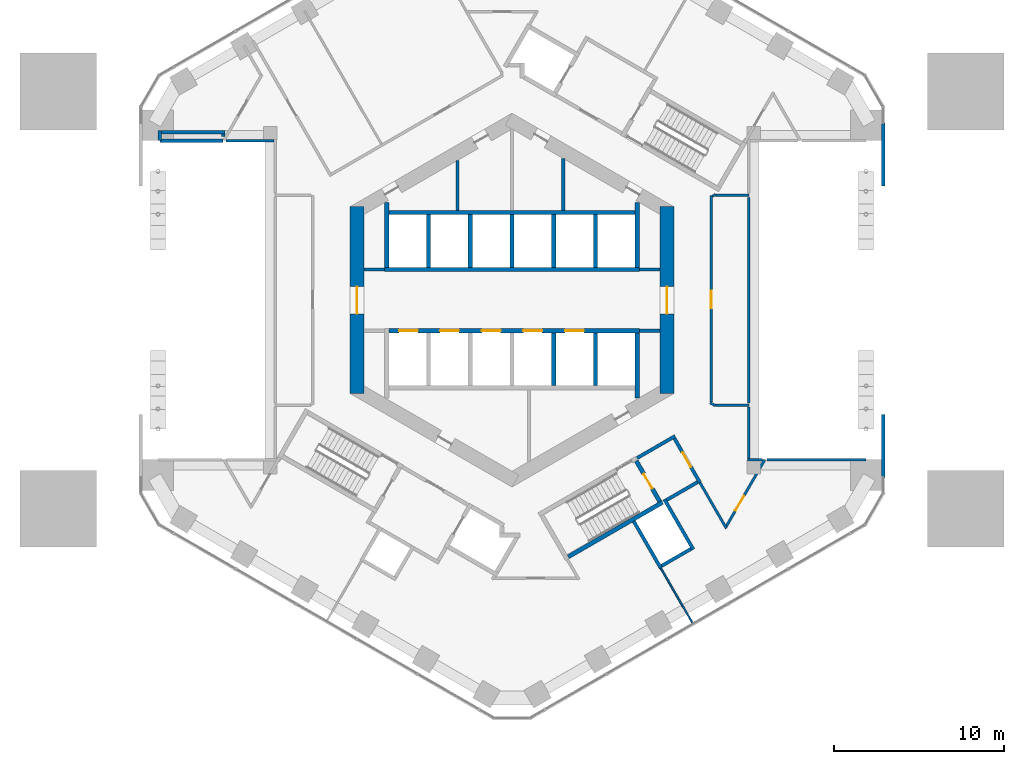
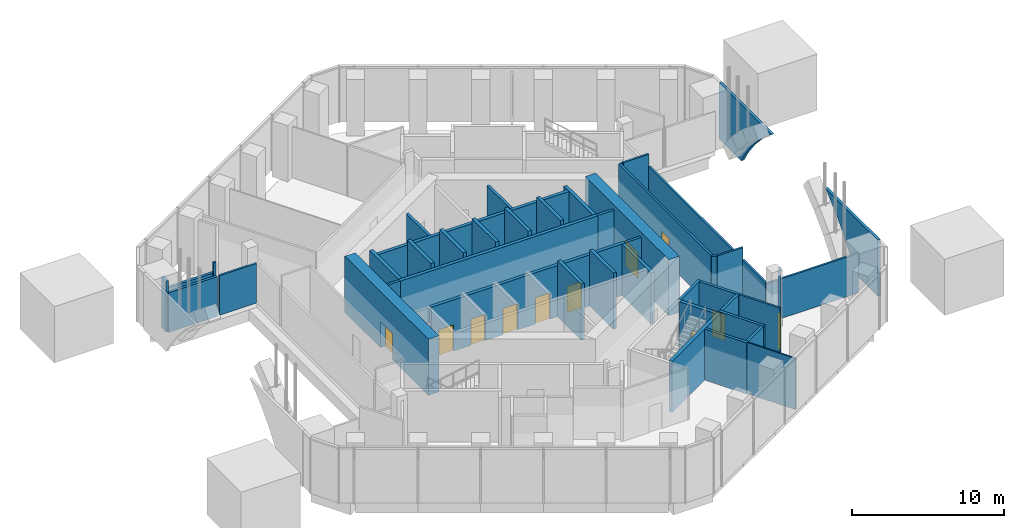
# One storey, part 10 of 14: 47 walls, 11 doors, 11 openings.
"""IFC4 building model written with IfcOpenShell, lengths in metres."""

import ifcopenshell
import ifcopenshell.guid

model = None  # the IFC model being written
_history = None  # IfcOwnerHistory: only IFC2X3 demands one
_inside = {}  # id of a spatial element -> (the spatial element, [elements in it])
_under = {}  # id of a project, library or spatial element -> (it, [spatial elements below it])
_declared = {}  # id of a project -> (the project, [libraries it declares])
_typed = {}  # id of a type object -> (the type object, [elements of that type])
_made_of = {}  # id of a material, layer set ... -> (it, [elements and type objects made of it])


def new_model(schema):
    """Start an empty IFC model of exactly this schema.

    Asked for "IFC4X3", IfcOpenShell would pick the latest addendum, in which some entities
    have other attributes; the version numbers below select the first issue.
    IFC2X3 requires an IfcOwnerHistory on every rooted entity: one is made here for all.
    """
    global model, _history
    if schema == "IFC4X3":
        model = ifcopenshell.file(schema_version=(4, 3, 0, 0))
    else:
        model = ifcopenshell.file(schema=schema)
    _inside.clear()
    _under.clear()
    _declared.clear()
    _typed.clear()
    _made_of.clear()
    _history = None
    if model.schema == "IFC2X3":
        org = make("IfcOrganization", Name="unknown")
        user = make(
            "IfcPersonAndOrganization",
            ThePerson=make("IfcPerson", FamilyName="unknown"),
            TheOrganization=org,
        )
        app = make(
            "IfcApplication",
            ApplicationDeveloper=org,
            Version="unknown",
            ApplicationFullName="unknown",
            ApplicationIdentifier="unknown",
        )
        _history = make(
            "IfcOwnerHistory",
            OwningUser=user,
            OwningApplication=app,
            ChangeAction="ADDED",
            CreationDate=0,
        )
    return model


def make(cls, **values):
    """One entity of the class cls with the attributes given. An attribute that is None is left unset."""
    return model.create_entity(
        cls, **{name: value for name, value in values.items() if value is not None}
    )


def rooted(cls, **values):
    """An entity with a GlobalId (a new one), such as an element, a storey or a relation."""
    return make(cls, GlobalId=ifcopenshell.guid.new(), OwnerHistory=_history, **values)


def si_unit(unit_type, name, prefix=None):
    """IfcSIUnit, for example si_unit("LENGTHUNIT", "METRE", prefix="MILLI")."""
    return make("IfcSIUnit", UnitType=unit_type, Prefix=prefix, Name=name)


def assignment(units):
    """IfcUnitAssignment: the units of a project."""
    return None if units is None else make("IfcUnitAssignment", Units=units)


def point(xyz):
    """IfcCartesianPoint."""
    return None if xyz is None else make("IfcCartesianPoint", Coordinates=xyz)


def direction(xyz):
    """IfcDirection."""
    return None if xyz is None else make("IfcDirection", DirectionRatios=xyz)


def frame(location, z_axis=None, x_axis=None):
    """IfcAxis2Placement3D, a coordinate frame: its origin and axes. An axis left out is left unset."""
    return make(
        "IfcAxis2Placement3D",
        Location=point(location),
        Axis=direction(z_axis),
        RefDirection=direction(x_axis),
    )


def frame_2d(location, x_axis=None):
    """IfcAxis2Placement2D, a coordinate frame in the plane: its origin and x axis."""
    return make(
        "IfcAxis2Placement2D", Location=point(location), RefDirection=direction(x_axis)
    )


def origin():
    """The frame at (0, 0, 0) with its axes left unset."""
    return frame((0.0, 0.0, 0.0))


def place(relative_to, where):
    """IfcLocalPlacement: puts the frame where relative to a parent placement (None: the world)."""
    return make(
        "IfcLocalPlacement", PlacementRelTo=relative_to, RelativePlacement=where
    )


def context(
    kind, dimensions, precision=None, world=None, true_north=None, identifier=None
):
    """IfcGeometricRepresentationContext, for example the 3D "Model" context."""
    return make(
        "IfcGeometricRepresentationContext",
        ContextIdentifier=identifier,
        ContextType=kind,
        CoordinateSpaceDimension=dimensions,
        Precision=precision,
        WorldCoordinateSystem=world,
        TrueNorth=true_north,
    )


def subcontext(parent, identifier, kind, view, scale=None):
    """IfcGeometricRepresentationSubContext, for example "Body" below "Model"."""
    return make(
        "IfcGeometricRepresentationSubContext",
        ContextIdentifier=identifier,
        ContextType=kind,
        ParentContext=parent,
        TargetScale=scale,
        TargetView=view,
    )


def project(units=None, contexts=None):
    """IfcProject with its units and contexts."""
    return rooted(
        "IfcProject",
        Name="project",
        RepresentationContexts=contexts,
        UnitsInContext=assignment(units),
    )


def spatial(cls, under=None, at=None, **own):
    """A site, building, storey or space (cls), placed at a placement, below another one or the project."""
    s = rooted(cls, ObjectPlacement=at, **own)
    if under is not None:
        _under.setdefault(under.id(), (under, []))[1].append(s)
    return s


def polyline(points):
    """IfcPolyline through the points."""
    return make("IfcPolyline", Points=[point(p) for p in points])


def profile(cls, at=None, kind="AREA", **sizes):
    """A parametric profile (cls). Its sizes go by their IFC names, for example OverallWidth=200.0."""
    return make(cls, ProfileType=kind, Position=at, **sizes)


def rectangle(**sizes):
    """IfcRectangleProfileDef."""
    return profile("IfcRectangleProfileDef", **sizes)


def outline(outer, holes=None, kind="AREA"):
    """IfcArbitraryClosedProfileDef: a profile drawn as a closed curve; with holes, ...WithVoids."""
    if holes is None:
        return make("IfcArbitraryClosedProfileDef", ProfileType=kind, OuterCurve=outer)
    return make(
        "IfcArbitraryProfileDefWithVoids",
        ProfileType=kind,
        OuterCurve=outer,
        InnerCurves=holes,
    )


def extrude(swept, where, along, depth):
    """IfcExtrudedAreaSolid: the profile swept, set in the frame where, extruded along a direction by depth."""
    return make(
        "IfcExtrudedAreaSolid",
        SweptArea=swept,
        Position=where,
        ExtrudedDirection=direction(along),
        Depth=depth,
    )


def shape(context_of_items, identifier, shape_type, items):
    """IfcShapeRepresentation: the items that make up one representation, for example the "Body"."""
    return make(
        "IfcShapeRepresentation",
        ContextOfItems=context_of_items,
        RepresentationIdentifier=identifier,
        RepresentationType=shape_type,
        Items=items,
    )


def material(Name=None, Category=None):
    """IfcMaterial."""
    return make("IfcMaterial", Name=Name, Category=Category)


def layer(
    of_material, thickness, ventilated=None, Name=None, Category=None, Priority=None
):
    """IfcMaterialLayer: one layer of a wall or slab, of a material (None: an air gap)."""
    return make(
        "IfcMaterialLayer",
        Material=of_material,
        LayerThickness=thickness,
        IsVentilated=ventilated,
        Name=Name,
        Category=Category,
        Priority=Priority,
    )


def layer_set(layers, Name=None):
    """IfcMaterialLayerSet."""
    return make("IfcMaterialLayerSet", MaterialLayers=layers, LayerSetName=Name)


def made_of(thing, what):
    """Note that an element or type object is made of a material, layer set ...; save() writes the relation."""
    if what is not None:
        _made_of.setdefault(what.id(), (what, []))[1].append(thing)
    return thing


def type_object(cls, material=None, **own):
    """A type object (cls), such as IfcWallType, which elements share."""
    return made_of(rooted(cls, **own), material)


def element(
    cls,
    number,
    at=None,
    inside=None,
    cuts=None,
    type_object=None,
    material=None,
    context=None,
    identifier="Body",
    shape_type=None,
    held_by="IfcProductDefinitionShape",
    body=None,
    shapes=None,
    **own,
):
    """One element of the class cls, such as IfcWall. Its Tag is "e" and its number.

    at: its placement. inside: the storey or other place that contains it. cuts: it is an
    opening in that element (IfcRelVoidsElement). A single representation is given by context,
    identifier, shape_type and body (its items); several are given by shapes. held_by: the class
    of the entity that holds the representations. save() writes the other relations.
    """
    e = rooted(cls, Tag="e%d" % number, ObjectPlacement=at, **own)
    if body is not None:
        shapes = [shape(context, identifier, shape_type, body)]
    if shapes is not None:
        e.Representation = make(held_by, Representations=shapes)
    if inside is not None:
        _inside.setdefault(inside.id(), (inside, []))[1].append(e)
    if cuts is not None:
        rooted(
            "IfcRelVoidsElement", RelatingBuildingElement=cuts, RelatedOpeningElement=e
        )
    if type_object is not None:
        _typed.setdefault(type_object.id(), (type_object, []))[1].append(e)
    return made_of(e, material)


def fill(opening, filler):
    """IfcRelFillsElement: the door or window that sits in an opening."""
    return rooted(
        "IfcRelFillsElement",
        RelatingOpeningElement=opening,
        RelatedBuildingElement=filler,
    )


def aggregate(whole, parts):
    """IfcRelAggregates: a whole, such as a stair, and the parts it consists of."""
    return rooted("IfcRelAggregates", RelatingObject=whole, RelatedObjects=parts)


def save(model, path):
    """Write the relations noted so far, then the file.

    IfcRelAggregates (storeys below a building ...), IfcRelContainedInSpatialStructure (elements
    in a storey), IfcRelDefinesByType, IfcRelAssociatesMaterial and IfcRelDeclares: one each for
    every whole, place, type object, material and project.
    """
    for whole, parts in _under.values():
        aggregate(whole, parts)
    for where, things in _inside.values():
        rooted(
            "IfcRelContainedInSpatialStructure",
            RelatedElements=things,
            RelatingStructure=where,
        )
    for kind, things in _typed.values():
        rooted("IfcRelDefinesByType", RelatedObjects=things, RelatingType=kind)
    for what, things in _made_of.values():
        rooted("IfcRelAssociatesMaterial", RelatedObjects=things, RelatingMaterial=what)
    for by, libraries in _declared.values():
        rooted("IfcRelDeclares", RelatingContext=by, RelatedDefinitions=libraries)
    model.write(path)


model = new_model("IFC4")

# Units and contexts
model_context = context("Model", 3, precision=1e-05, world=origin(), true_north=direction((0.0, 1.0)))
body_context = subcontext(model_context, "Body", "Model", "MODEL_VIEW")
ifc_project = project(units=[si_unit("LENGTHUNIT", "METRE"), si_unit("AREAUNIT", "SQUARE_METRE"), si_unit("VOLUMEUNIT", "CUBIC_METRE"), si_unit("PLANEANGLEUNIT", "RADIAN"), si_unit("MASSUNIT", "GRAM", prefix="KILO")], contexts=[model_context])

# Site, building, storey
site_placement = place(None, origin())
site = spatial("IfcSite", under=ifc_project, at=site_placement, CompositionType="ELEMENT")
building_placement = place(site_placement, origin())
building = spatial("IfcBuilding", under=site, at=building_placement, Name="Ayvan Gate Tower", CompositionType="ELEMENT")
storey_placement = place(building_placement, frame((0.0, 0.0, 11.5)))
storey = spatial("IfcBuildingStorey", under=building, at=storey_placement, Name="L02", CompositionType="ELEMENT", Elevation=11.5)

# Walls
ifc_material_1 = material(Name="Pale metal cladding on insulated wall")
ifc_layer_1 = layer(ifc_material_1, 0.199951171875)
ifc_layer_set_1 = layer_set([ifc_layer_1], Name="Pale metal cladding on insulated wall")
wall_type_1 = type_object("IfcWallType", Name="Arch tympanum wall 200", PredefinedType="SOLIDWALL", material=ifc_layer_set_1)
wall_1_placement = place(storey_placement, frame((21.6845703125, -10.399658203125, 4.5), z_axis=(-1.0, 0.0, 0.0), x_axis=(0.0, 1.0, 0.0)))
element("IfcWall", 1, at=wall_1_placement, inside=storey, type_object=wall_type_1, Name="Arch tympanum wall L02 face 0", PredefinedType="SOLIDWALL", context=body_context, shape_type="SweptSolid", body=[
    extrude(outline(polyline([(0.0, 0.0), (6.89404296875, 0.0), (6.54052734375, 0.2568359375), (5.424072265625, 1.251220703125), (4.41162109375, 2.351318359375), (3.512939453125, 3.546142578125), (2.933837890625, 4.5), (0.0, 4.5), (0.0, 0.0)])), origin(), (0.0, 0.0, -1.0), 0.199951171875),
])
wall_2_placement = place(storey_placement, frame((21.6845703125, 10.399658203125, 0.0), z_axis=(-1.0, 0.0, 0.0), x_axis=(0.0, -1.0, 0.0)))
element("IfcWall", 2, at=wall_2_placement, inside=storey, type_object=wall_type_1, Name="Arch tympanum wall L02 face 0", PredefinedType="SOLIDWALL", context=body_context, shape_type="SweptSolid", body=[
    extrude(outline(polyline([(0.0, 0.0), (2.933837890625, 0.0), (3.512939453125, 0.953857421875), (4.41162109375, 2.148681640625), (5.424072265625, 3.248779296875), (6.54052734375, 4.2431640625), (6.89404296875, 4.5), (0.0, 4.5), (0.0, 0.0)])), origin(), (0.0, 0.0, -1.0), 0.199951171875),
])

# Wall, opening, door
ifc_material_2 = material(Name="Concrete C70/85", Category="concrete")
ifc_layer_2 = layer(ifc_material_2, 0.800048828125)
ifc_layer_set_2 = layer_set([ifc_layer_2], Name="Concrete C70/85")
wall_type_2 = type_object("IfcWallType", Name="Core wall 800 C70/85", PredefinedType="SHEAR", material=ifc_layer_set_2)
wall_3_placement = place(storey_placement, frame((9.10009765625, -5.48486328125, 0.0), z_axis=(0.0, 0.0, 1.0), x_axis=(0.0, 1.0, 0.0)))
wall_3 = element("IfcWall", 3, at=wall_3_placement, inside=storey, type_object=wall_type_2, Name="CORE-L02-0", PredefinedType="SHEAR", context=body_context, shape_type="SweptSolid", body=[
    extrude(rectangle(XDim=10.9697265625, YDim=0.800048828125, at=frame_2d((5.48486328125, 0.0))), origin(), (0.0, 0.0, 1.0), 4.5),
])
opening_1_placement = place(wall_3_placement, frame((4.684814453125, 0.0, 0.0)))
opening_1 = element("IfcOpeningElement", 4, at=opening_1_placement, cuts=wall_3, Name="Opening L02-D33", PredefinedType="OPENING", context=body_context, shape_type="SweptSolid", body=[
    extrude(rectangle(XDim=1.60009765625, YDim=2.10009765625, at=frame_2d((0.800048828125, 1.050048828125))), frame((0.0, 0.409912109375, 0.0), z_axis=(0.0, -1.0, 0.0), x_axis=(1.0, 0.0, 0.0)), (0.0, 0.0, 1.0), 0.820068359375),
])
ifc_material_3 = material(Name="Timber door leaf", Category="wood")
door_type_1 = type_object("IfcDoorType", Name="DT-1600", OperationType="NOTDEFINED", PredefinedType="DOOR", material=ifc_material_3)
door_1_placement = place(opening_1_placement, origin())
door_1 = element("IfcDoor", 5, at=door_1_placement, inside=storey, type_object=door_type_1, Name="CD-L02-33", OperationType="SINGLE_SWING_LEFT", OverallHeight=2.10009765625, OverallWidth=1.60009765625, PredefinedType="DOOR", context=body_context, shape_type="SweptSolid", body=[
    extrude(rectangle(XDim=1.60009765625, YDim=2.10009765625, at=frame_2d((0.800048828125, 1.050048828125))), frame((0.0, 0.02490234375, 0.0), z_axis=(0.0, -1.0, 0.0), x_axis=(1.0, 0.0, 0.0)), (0.0, 0.0, 1.0), 0.050048828125),
])
fill(opening_1, door_1)

wall_4_placement = place(storey_placement, frame((-9.10009765625, 5.48486328125, 0.0), z_axis=(0.0, 0.0, 1.0), x_axis=(0.0, -1.0, 0.0)))
wall_4 = element("IfcWall", 6, at=wall_4_placement, inside=storey, type_object=wall_type_2, Name="CORE-L02-3", PredefinedType="SHEAR", context=body_context, shape_type="SweptSolid", body=[
    extrude(rectangle(XDim=10.9697265625, YDim=0.800048828125, at=frame_2d((5.48486328125, 0.0))), origin(), (0.0, 0.0, 1.0), 4.5),
])
opening_2_placement = place(wall_4_placement, frame((4.684814453125, 0.0, 0.0)))
opening_2 = element("IfcOpeningElement", 7, at=opening_2_placement, cuts=wall_4, Name="Opening L02-D34", PredefinedType="OPENING", context=body_context, shape_type="SweptSolid", body=[
    extrude(rectangle(XDim=1.60009765625, YDim=2.10009765625, at=frame_2d((0.800048828125, 1.050048828125))), frame((0.0, 0.409912109375, 0.0), z_axis=(0.0, -1.0, 0.0), x_axis=(1.0, 0.0, 0.0)), (0.0, 0.0, 1.0), 0.820068359375),
])
door_2_placement = place(opening_2_placement, origin())
door_2 = element("IfcDoor", 8, at=door_2_placement, inside=storey, type_object=door_type_1, Name="CD-L02-34", OperationType="SINGLE_SWING_RIGHT", OverallHeight=2.10009765625, OverallWidth=1.60009765625, PredefinedType="DOOR", context=body_context, shape_type="SweptSolid", body=[
    extrude(rectangle(XDim=1.60009765625, YDim=2.10009765625, at=frame_2d((0.800048828125, 1.050048828125))), frame((0.0, 0.02490234375, 0.0), z_axis=(0.0, -1.0, 0.0), x_axis=(1.0, 0.0, 0.0)), (0.0, 0.0, 1.0), 0.050048828125),
])
fill(opening_2, door_2)

# Walls
ifc_material_4 = material(Name="Plasterboard on steel stud", Category="steel")
ifc_layer_3 = layer(ifc_material_4, 0.14990234375)
ifc_layer_set_3 = layer_set([ifc_layer_3], Name="Plasterboard on steel stud")
wall_type_3 = type_object("IfcWallType", Name="WT-CORR-150", PredefinedType="PARTITIONING", material=ifc_layer_set_3)
wall_5_placement = place(storey_placement, frame((-13.97509765625, 9.367919921875, 0.0), z_axis=(0.0, 0.0, 1.0), x_axis=(-1.0, 0.0, 0.0)))
element("IfcWall", 9, at=wall_5_placement, inside=storey, type_object=wall_type_3, Name="IW-L02-014", PredefinedType="PARTITIONING", context=body_context, shape_type="SweptSolid", body=[
    extrude(rectangle(XDim=2.804931640625, YDim=0.14990234375, at=frame_2d((1.40234375, 0.0))), origin(), (0.0, 0.0, 1.0), 3.175048828125),
])
wall_6_placement = place(storey_placement, frame((11.635009765625, -6.024658203125, 0.0), z_axis=(0.0, 0.0, 1.0), x_axis=(0.866115353951, -0.499844169366, 0.0)))
element("IfcWall", 10, at=wall_6_placement, inside=storey, type_object=wall_type_3, Name="IW-L02-101", PredefinedType="PARTITIONING", context=body_context, shape_type="SweptSolid", body=[
    extrude(rectangle(XDim=0.34716796875, YDim=0.14990234375, at=frame_2d((0.173583984375, 0.0))), origin(), (0.0, 0.0, 1.0), 4.10009765625),
])

# Wall, opening, door
wall_7_placement = place(storey_placement, frame((11.699951171875, 6.13720703125, 0.0), z_axis=(0.0, 0.0, 1.0), x_axis=(0.0, -1.0, 0.0)))
wall_7 = element("IfcWall", 11, at=wall_7_placement, inside=storey, type_object=wall_type_3, Name="IW-L02-102", PredefinedType="PARTITIONING", context=body_context, shape_type="SweptSolid", body=[
    extrude(rectangle(XDim=12.12451171875, YDim=0.14990234375, at=frame_2d((6.062255859375, 0.0))), origin(), (0.0, 0.0, 1.0), 4.10009765625),
])
opening_3_placement = place(wall_7_placement, frame((5.599609375, 0.0, 0.0)))
opening_3 = element("IfcOpeningElement", 12, at=opening_3_placement, cuts=wall_7, Name="Opening L02-D25", PredefinedType="OPENING", context=body_context, shape_type="SweptSolid", body=[
    extrude(rectangle(XDim=1.0, YDim=2.10009765625, at=frame_2d((0.5, 1.050048828125))), frame((0.0, 0.0849609375, 0.0), z_axis=(0.0, -1.0, 0.0), x_axis=(1.0, 0.0, 0.0)), (0.0, 0.0, 1.0), 0.169921875),
])
door_type_2 = type_object("IfcDoorType", Name="DT-1000", OperationType="NOTDEFINED", PredefinedType="DOOR", material=ifc_material_3)
door_3_placement = place(opening_3_placement, origin())
door_3 = element("IfcDoor", 13, at=door_3_placement, inside=storey, type_object=door_type_2, Name="ID-L02-025", OperationType="SINGLE_SWING_LEFT", OverallHeight=2.10009765625, OverallWidth=1.0, PredefinedType="DOOR", context=body_context, shape_type="SweptSolid", body=[
    extrude(rectangle(XDim=1.0, YDim=2.10009765625, at=frame_2d((0.5, 1.050048828125))), frame((0.0, 0.02490234375, 0.0), z_axis=(0.0, -1.0, 0.0), x_axis=(1.0, 0.0, 0.0)), (0.0, 0.0, 1.0), 0.050048828125),
])
fill(opening_3, door_3)

# Walls
wall_8_placement = place(storey_placement, frame((11.94580078125, -6.160888671875, 0.0), z_axis=(0.0, 0.0, 1.0), x_axis=(1.0, 0.0, 0.0)))
element("IfcWall", 14, at=wall_8_placement, inside=storey, type_object=wall_type_3, Name="IW-L02-103", PredefinedType="PARTITIONING", context=body_context, shape_type="SweptSolid", body=[
    extrude(rectangle(XDim=1.9541015625, YDim=0.14990234375, at=frame_2d((0.97705078125, 0.0))), origin(), (0.0, 0.0, 1.0), 4.10009765625),
])
wall_9_placement = place(storey_placement, frame((11.935791015625, 6.1982421875, 0.0), z_axis=(0.0, 0.0, 1.0), x_axis=(-0.866103179807, -0.499865263774, 0.0)))
element("IfcWall", 15, at=wall_9_placement, inside=storey, type_object=wall_type_3, Name="IW-L02-104", PredefinedType="PARTITIONING", context=body_context, shape_type="SweptSolid", body=[
    extrude(rectangle(XDim=0.197265625, YDim=0.14990234375, at=frame_2d((0.0986328125, 0.0))), origin(), (0.0, 0.0, 1.0), 4.10009765625),
])
wall_10_placement = place(storey_placement, frame((12.586669921875, -13.40087890625, 0.0), z_axis=(0.0, 0.0, 1.0), x_axis=(-0.499952049853, 0.866053086045, 0.0)))
element("IfcWall", 16, at=wall_10_placement, inside=storey, type_object=wall_type_3, Name="IW-L02-106", PredefinedType="PARTITIONING", context=body_context, shape_type="SweptSolid", body=[
    extrude(rectangle(XDim=3.098876953125, YDim=0.14990234375, at=frame_2d((1.54931640625, 0.0))), origin(), (0.0, 0.0, 1.0), 4.10009765625),
])
wall_11_placement = place(storey_placement, frame((13.824951171875, -9.367919921875, 0.0), z_axis=(0.0, 0.0, 1.0), x_axis=(1.0, 0.0, 0.0)))
element("IfcWall", 17, at=wall_11_placement, inside=storey, type_object=wall_type_3, Name="IW-L02-109", PredefinedType="PARTITIONING", context=body_context, shape_type="SweptSolid", body=[
    extrude(rectangle(XDim=0.876708984375, YDim=0.14990234375, at=frame_2d((0.4384765625, 0.0))), origin(), (0.0, 0.0, 1.0), 3.175048828125),
])
wall_12_placement = place(storey_placement, frame((13.89990234375, -6.28076171875, 0.0), z_axis=(0.0, 0.0, 1.0), x_axis=(0.0, -1.0, 0.0)))
element("IfcWall", 18, at=wall_12_placement, inside=storey, type_object=wall_type_3, Name="IW-L02-110", PredefinedType="PARTITIONING", context=body_context, shape_type="SweptSolid", body=[
    extrude(rectangle(XDim=3.01220703125, YDim=0.14990234375, at=frame_2d((1.506103515625, 0.0))), origin(), (0.0, 0.0, 1.0), 3.175048828125),
])
wall_13_placement = place(storey_placement, frame((13.89990234375, 6.040771484375, 0.0), z_axis=(0.0, 0.0, 1.0), x_axis=(0.0, -1.0, 0.0)))
element("IfcWall", 19, at=wall_13_placement, inside=storey, type_object=wall_type_3, Name="IW-L02-111", PredefinedType="PARTITIONING", context=body_context, shape_type="SweptSolid", body=[
    extrude(rectangle(XDim=12.08154296875, YDim=0.14990234375, at=frame_2d((6.040771484375, 0.0))), origin(), (0.0, 0.0, 1.0), 3.175048828125),
])
wall_14_placement = place(storey_placement, frame((13.89990234375, 6.160888671875, 0.0), z_axis=(0.0, 0.0, 1.0), x_axis=(-1.0, 0.0, 0.0)))
element("IfcWall", 20, at=wall_14_placement, inside=storey, type_object=wall_type_3, Name="IW-L02-112", PredefinedType="PARTITIONING", context=body_context, shape_type="SweptSolid", body=[
    extrude(rectangle(XDim=1.9541015625, YDim=0.14990234375, at=frame_2d((0.97705078125, 0.0))), origin(), (0.0, 0.0, 1.0), 4.10009765625),
])

# Wall, opening, door
wall_15_placement = place(storey_placement, frame((14.840087890625, -9.367919921875, 0.0), z_axis=(0.0, 0.0, 1.0), x_axis=(-0.49999598783, -0.866027720199, 0.0)))
wall_15 = element("IfcWall", 21, at=wall_15_placement, inside=storey, type_object=wall_type_3, Name="IW-L02-114", PredefinedType="PARTITIONING", context=body_context, shape_type="SweptSolid", body=[
    extrude(rectangle(XDim=4.5068359375, YDim=0.14990234375, at=frame_2d((2.25341796875, 0.0))), origin(), (0.0, 0.0, 1.0), 4.10009765625),
])
opening_4_placement = place(wall_15_placement, frame((2.453369140625, 0.0, 0.0)))
opening_4 = element("IfcOpeningElement", 22, at=opening_4_placement, cuts=wall_15, Name="Opening L02-D23", PredefinedType="OPENING", context=body_context, shape_type="SweptSolid", body=[
    extrude(rectangle(XDim=1.0, YDim=2.10009765625, at=frame_2d((0.5, 1.050048828125))), frame((0.0, 0.0849609375, 0.0), z_axis=(0.0, -1.0, 0.0), x_axis=(1.0, 0.0, 0.0)), (0.0, 0.0, 1.0), 0.169921875),
])
door_4_placement = place(opening_4_placement, origin())
door_4 = element("IfcDoor", 23, at=door_4_placement, inside=storey, type_object=door_type_2, Name="ID-L02-023", OperationType="SINGLE_SWING_LEFT", OverallHeight=2.10009765625, OverallWidth=1.0, PredefinedType="DOOR", context=body_context, shape_type="SweptSolid", body=[
    extrude(rectangle(XDim=1.0, YDim=2.10009765625, at=frame_2d((0.5, 1.050048828125))), frame((0.0, 0.02490234375, 0.0), z_axis=(0.0, -1.0, 0.0), x_axis=(1.0, 0.0, 0.0)), (0.0, 0.0, 1.0), 0.050048828125),
])
fill(opening_4, door_4)

# Walls
wall_16_placement = place(storey_placement, frame((14.9599609375, -9.367919921875, 0.0), z_axis=(0.0, 0.0, 1.0), x_axis=(1.0, 0.0, 0.0)))
element("IfcWall", 24, at=wall_16_placement, inside=storey, type_object=wall_type_3, Name="IW-L02-115", PredefinedType="PARTITIONING", context=body_context, shape_type="SweptSolid", body=[
    extrude(rectangle(XDim=5.82470703125, YDim=0.14990234375, at=frame_2d((2.912353515625, 0.0))), origin(), (0.0, 0.0, 1.0), 3.175048828125),
])
ifc_layer_4 = layer(ifc_material_4, 0.10009765625)
ifc_layer_set_4 = layer_set([ifc_layer_4], Name="Plasterboard on steel stud")
wall_type_4 = type_object("IfcWallType", Name="WT-PART-100", PredefinedType="PARTITIONING", material=ifc_layer_set_4)
wall_17_placement = place(storey_placement, frame((8.739990234375, -15.73828125, 0.0), z_axis=(0.0, 0.0, 1.0), x_axis=(0.500026738915, -0.866009965514, 0.0)))
element("IfcWall", 25, at=wall_17_placement, inside=storey, type_object=wall_type_4, Name="IW-L02-092", PredefinedType="PARTITIONING", context=body_context, shape_type="SweptSolid", body=[
    extrude(rectangle(XDim=3.680908203125, YDim=0.10009765625, at=frame_2d((1.84033203125, 0.0))), origin(), (0.0, 0.0, 1.0), 4.10009765625),
])
ifc_layer_5 = layer(ifc_material_4, 0.199951171875)
ifc_layer_set_5 = layer_set([ifc_layer_5], Name="Plasterboard on steel stud")
wall_type_5 = type_object("IfcWallType", Name="WT-PLUMB-200", PredefinedType="PLUMBINGWALL", material=ifc_layer_set_5)
wall_18_placement = place(storey_placement, frame((-20.6845703125, 9.367919921875, 0.0), z_axis=(0.0, 0.0, 1.0), x_axis=(0.0, 1.0, 0.0)))
element("IfcWall", 26, at=wall_18_placement, inside=storey, type_object=wall_type_5, Name="IW-L02-001", PredefinedType="PLUMBINGWALL", context=body_context, shape_type="SweptSolid", body=[
    extrude(rectangle(XDim=0.60009765625, YDim=0.199951171875, at=frame_2d((0.300048828125, 0.0))), origin(), (0.0, 0.0, 1.0), 4.10009765625),
])
wall_19_placement = place(storey_placement, frame((-20.584716796875, 9.867919921875, 0.0), z_axis=(0.0, 0.0, 1.0), x_axis=(1.0, 0.0, 0.0)))
element("IfcWall", 27, at=wall_19_placement, inside=storey, type_object=wall_type_5, Name="IW-L02-002", PredefinedType="PLUMBINGWALL", context=body_context, shape_type="SweptSolid", body=[
    extrude(rectangle(XDim=3.736083984375, YDim=0.199951171875, at=frame_2d((1.8681640625, 0.0))), origin(), (0.0, 0.0, 1.0), 3.175048828125),
])
wall_20_placement = place(storey_placement, frame((-16.968505859375, 9.367919921875, 0.0), z_axis=(0.0, 0.0, 1.0), x_axis=(-1.0, 0.0, 0.0)))
element("IfcWall", 28, at=wall_20_placement, inside=storey, type_object=wall_type_5, Name="IW-L02-003", PredefinedType="PLUMBINGWALL", context=body_context, shape_type="SweptSolid", body=[
    extrude(rectangle(XDim=3.696044921875, YDim=0.199951171875, at=frame_2d((1.84814453125, 0.0))), origin(), (0.0, 0.0, 1.0), 3.175048828125),
])
wall_21_placement = place(storey_placement, frame((-16.948486328125, 9.767822265625, 0.0), z_axis=(0.0, 0.0, 1.0), x_axis=(0.0, -1.0, 0.0)))
element("IfcWall", 29, at=wall_21_placement, inside=storey, type_object=wall_type_5, Name="IW-L02-004", PredefinedType="PLUMBINGWALL", context=body_context, shape_type="SweptSolid", body=[
    extrude(rectangle(XDim=0.159912109375, YDim=0.199951171875, at=frame_2d((0.080078125, 0.0))), origin(), (0.0, 0.0, 1.0), 4.10009765625),
])
wall_22_placement = place(storey_placement, frame((8.740234375, -15.738525390625, 0.0), z_axis=(0.0, 0.0, 1.0), x_axis=(-0.500017526161, 0.866015284814, 0.0)))
element("IfcWall", 30, at=wall_22_placement, inside=storey, type_object=wall_type_5, Name="IW-L02-093", PredefinedType="PLUMBINGWALL", context=body_context, shape_type="SweptSolid", body=[
    extrude(rectangle(XDim=3.17529296875, YDim=0.199951171875, at=frame_2d((1.587646484375, 0.0))), origin(), (0.0, 0.0, 1.0), 4.10009765625),
])
wall_23_placement = place(storey_placement, frame((8.9453125, -11.694091796875, 0.0), z_axis=(0.0, 0.0, 1.0), x_axis=(0.500062241894, -0.865989465428, 0.0)))
element("IfcWall", 31, at=wall_23_placement, inside=storey, type_object=wall_type_5, Name="IW-L02-095", PredefinedType="PLUMBINGWALL", context=body_context, shape_type="SweptSolid", body=[
    extrude(rectangle(XDim=3.39990234375, YDim=0.199951171875, at=frame_2d((1.699951171875, 0.0))), origin(), (0.0, 0.0, 1.0), 4.10009765625),
])
wall_24_placement = place(storey_placement, frame((10.5087890625, -14.601806640625, 0.0), z_axis=(0.0, 0.0, 1.0), x_axis=(-0.866010750942, -0.50002537861, 0.0)))
element("IfcWall", 32, at=wall_24_placement, inside=storey, type_object=wall_type_5, Name="IW-L02-099", PredefinedType="PLUMBINGWALL", context=body_context, shape_type="SweptSolid", body=[
    extrude(rectangle(XDim=2.0, YDim=0.199951171875, at=frame_2d((1.0, 0.0))), origin(), (0.0, 0.0, 1.0), 4.10009765625),
])
ifc_layer_6 = layer(ifc_material_4, 0.199951171875)
ifc_layer_set_6 = layer_set([ifc_layer_6], Name="Plasterboard on steel stud")
wall_type_6 = type_object("IfcWallType", Name="WT-RATED-200", PredefinedType="PARTITIONING", material=ifc_layer_set_6)
wall_25_placement = place(storey_placement, frame((-8.699951171875, 1.800048828125, 0.0), z_axis=(0.0, 0.0, 1.0), x_axis=(1.0, 0.0, 0.0)))
element("IfcWall", 33, at=wall_25_placement, inside=storey, type_object=wall_type_6, Name="IW-L02-025", PredefinedType="PARTITIONING", context=body_context, shape_type="SweptSolid", body=[
    extrude(rectangle(XDim=1.22509765625, YDim=0.199951171875, at=frame_2d((0.612548828125, 0.0))), origin(), (0.0, 0.0, 1.0), 4.10009765625),
])
wall_26_placement = place(storey_placement, frame((-3.199951171875, 8.198486328125, 0.0), z_axis=(0.0, 0.0, 1.0), x_axis=(0.0, -1.0, 0.0)))
element("IfcWall", 34, at=wall_26_placement, inside=storey, type_object=wall_type_6, Name="IW-L02-047", PredefinedType="PARTITIONING", context=body_context, shape_type="SweptSolid", body=[
    extrude(rectangle(XDim=2.923583984375, YDim=0.199951171875, at=frame_2d((1.4619140625, 0.0))), origin(), (0.0, 0.0, 1.0), 4.10009765625),
])
wall_27_placement = place(storey_placement, frame((3.0, 8.313720703125, 0.0), z_axis=(0.0, 0.0, 1.0), x_axis=(0.0, -1.0, 0.0)))
element("IfcWall", 35, at=wall_27_placement, inside=storey, type_object=wall_type_6, Name="IW-L02-074", PredefinedType="PARTITIONING", context=body_context, shape_type="SweptSolid", body=[
    extrude(rectangle(XDim=3.038818359375, YDim=0.199951171875, at=frame_2d((1.51953125, 0.0))), origin(), (0.0, 0.0, 1.0), 4.10009765625),
])
wall_28_placement = place(storey_placement, frame((7.343994140625, -9.27001953125, 0.0), z_axis=(0.0, 0.0, 1.0), x_axis=(0.866005588531, 0.500034319456, 0.0)))
element("IfcWall", 36, at=wall_28_placement, inside=storey, type_object=wall_type_6, Name="IW-L02-086", PredefinedType="PARTITIONING", context=body_context, shape_type="SweptSolid", body=[
    extrude(rectangle(XDim=2.574951171875, YDim=0.199951171875, at=frame_2d((1.28759765625, 0.0))), origin(), (0.0, 0.0, 1.0), 4.10009765625),
])
for number, where, z_axis, x_axis, name in (
    (37, (7.474853515625, 1.800048828125, 0.0), (0.0, 0.0, 1.0), (1.0, 0.0, 0.0), "IW-L02-087"),
    (38, (8.699951171875, -1.800048828125, 0.0), (0.0, 0.0, 1.0), (-1.0, 0.0, 0.0), "IW-L02-094"),
):
    element("IfcWall", number, at=place(storey_placement, frame(where, z_axis=z_axis, x_axis=x_axis)), inside=storey, type_object=wall_type_6, Name=name, PredefinedType="PARTITIONING", context=body_context, shape_type="SweptSolid", body=[
        extrude(rectangle(XDim=1.22509765625, YDim=0.199951171875, at=frame_2d((0.612548828125, 0.0))), origin(), (0.0, 0.0, 1.0), 4.10009765625),
    ])

# Wall, opening, door
wall_29_placement = place(storey_placement, frame((9.537353515625, -8.119140625, 0.0), z_axis=(0.0, 0.0, 1.0), x_axis=(0.499990139034, -0.866031096941, 0.0)))
wall_29 = element("IfcWall", 39, at=wall_29_placement, inside=storey, type_object=wall_type_6, Name="IW-L02-097", PredefinedType="PARTITIONING", context=body_context, shape_type="SweptSolid", body=[
    extrude(rectangle(XDim=3.0, YDim=0.199951171875, at=frame_2d((1.5, 0.0))), origin(), (0.0, 0.0, 1.0), 4.10009765625),
])
opening_5_placement = place(wall_29_placement, frame((0.93505859375, 0.0, 0.0)))
opening_5 = element("IfcOpeningElement", 40, at=opening_5_placement, cuts=wall_29, Name="Opening L02-D15", PredefinedType="OPENING", context=body_context, shape_type="SweptSolid", body=[
    extrude(rectangle(XDim=1.0, YDim=2.10009765625, at=frame_2d((0.5, 1.050048828125))), frame((0.0, 0.10986328125, 0.0), z_axis=(0.0, -1.0, 0.0), x_axis=(1.0, 0.0, 0.0)), (0.0, 0.0, 1.0), 0.219970703125),
])
door_5_placement = place(opening_5_placement, origin())
door_5 = element("IfcDoor", 41, at=door_5_placement, inside=storey, type_object=door_type_2, Name="ID-L02-015", OperationType="SINGLE_SWING_LEFT", OverallHeight=2.10009765625, OverallWidth=1.0, PredefinedType="DOOR", context=body_context, shape_type="SweptSolid", body=[
    extrude(rectangle(XDim=1.0, YDim=2.10009765625, at=frame_2d((0.5, 1.050048828125))), frame((0.0, 0.02490234375, 0.0), z_axis=(0.0, -1.0, 0.0), x_axis=(1.0, 0.0, 0.0)), (0.0, 0.0, 1.0), 0.050048828125),
])
fill(opening_5, door_5)

# Walls
wall_30_placement = place(storey_placement, frame((10.900634765625, -10.6806640625, 0.0), z_axis=(0.0, 0.0, 1.0), x_axis=(-0.866009402589, -0.500027713859, 0.0)))
element("IfcWall", 42, at=wall_30_placement, inside=storey, type_object=wall_type_6, Name="IW-L02-100", PredefinedType="PARTITIONING", context=body_context, shape_type="SweptSolid", body=[
    extrude(rectangle(XDim=2.10009765625, YDim=0.199951171875, at=frame_2d((1.050048828125, 0.0))), origin(), (0.0, 0.0, 1.0), 4.10009765625),
])
ifc_material_5 = material(Name="Concrete C50/60", Category="concrete")
ifc_layer_7 = layer(ifc_material_5, 0.25)
ifc_layer_set_7 = layer_set([ifc_layer_7], Name="Concrete C50/60")
wall_type_7 = type_object("IfcWallType", Name="WT-RC-250", PredefinedType="SHEAR", material=ifc_layer_set_7)
wall_31_placement = place(storey_placement, frame((-7.47509765625, 1.800048828125, 0.0), z_axis=(0.0, 0.0, 1.0), x_axis=(1.0, 0.0, 0.0)))
element("IfcWall", 43, at=wall_31_placement, inside=storey, type_object=wall_type_7, Name="IW-L02-030", PredefinedType="SHEAR", context=body_context, shape_type="SweptSolid", body=[
    extrude(rectangle(XDim=14.9501953125, YDim=0.25, at=frame_2d((7.47509765625, 0.0))), origin(), (0.0, 0.0, 1.0), 4.10009765625),
])
wall_32_placement = place(storey_placement, frame((-7.35009765625, 1.925048828125, 0.0), z_axis=(0.0, 0.0, 1.0), x_axis=(0.0, 1.0, 0.0)))
element("IfcWall", 44, at=wall_32_placement, inside=storey, type_object=wall_type_7, Name="IW-L02-032", PredefinedType="SHEAR", context=body_context, shape_type="SweptSolid", body=[
    extrude(rectangle(XDim=3.80517578125, YDim=0.25, at=frame_2d((1.902587890625, 0.0))), origin(), (0.0, 0.0, 1.0), 4.10009765625),
])
wall_33_placement = place(storey_placement, frame((-7.22509765625, 5.14990234375, 0.0), z_axis=(0.0, 0.0, 1.0), x_axis=(1.0, 0.0, 0.0)))
element("IfcWall", 45, at=wall_33_placement, inside=storey, type_object=wall_type_7, Name="IW-L02-033", PredefinedType="SHEAR", context=body_context, shape_type="SweptSolid", body=[
    extrude(rectangle(XDim=14.7001953125, YDim=0.25, at=frame_2d((7.35009765625, 0.0))), origin(), (0.0, 0.0, 1.0), 4.10009765625),
])
wall_34_placement = place(storey_placement, frame((-4.89990234375, 5.02490234375, 0.0), z_axis=(0.0, 0.0, 1.0), x_axis=(0.0, -1.0, 0.0)))
element("IfcWall", 46, at=wall_34_placement, inside=storey, type_object=wall_type_7, Name="IW-L02-043", PredefinedType="SHEAR", context=body_context, shape_type="SweptSolid", body=[
    extrude(rectangle(XDim=3.099853515625, YDim=0.25, at=frame_2d((1.5498046875, 0.0))), origin(), (0.0, 0.0, 1.0), 4.5),
])

# Wall, openings, doors
wall_35_placement = place(storey_placement, frame((-7.22509765625, -1.800048828125, 0.0), z_axis=(0.0, 0.0, 1.0), x_axis=(1.0, 0.0, 0.0)))
wall_35 = element("IfcWall", 47, at=wall_35_placement, inside=storey, type_object=wall_type_7, Name="IW-L02-044", PredefinedType="SHEAR", context=body_context, shape_type="SweptSolid", body=[
    extrude(rectangle(XDim=14.7001953125, YDim=0.25, at=frame_2d((7.35009765625, 0.0))), origin(), (0.0, 0.0, 1.0), 4.10009765625),
])
opening_6_placement = place(wall_35_placement, frame((0.597412109375, 0.0, 0.0)))
opening_6 = element("IfcOpeningElement", 48, at=opening_6_placement, cuts=wall_35, Name="Opening L02-LD-LR1", PredefinedType="OPENING", context=body_context, shape_type="SweptSolid", body=[
    extrude(rectangle(XDim=1.10009765625, YDim=2.10009765625, at=frame_2d((0.550048828125, 1.050048828125))), frame((0.0, 0.135009765625, 0.0), z_axis=(0.0, -1.0, 0.0), x_axis=(1.0, 0.0, 0.0)), (0.0, 0.0, 1.0), 0.27001953125),
])
opening_7_placement = place(wall_35_placement, frame((3.0, 0.0, 0.0)))
opening_7 = element("IfcOpeningElement", 49, at=opening_7_placement, cuts=wall_35, Name="Opening L02-LD-LR2", PredefinedType="OPENING", context=body_context, shape_type="SweptSolid", body=[
    extrude(rectangle(XDim=1.10009765625, YDim=2.10009765625, at=frame_2d((0.550048828125, 1.050048828125))), frame((0.0, 0.135009765625, 0.0), z_axis=(0.0, -1.0, 0.0), x_axis=(1.0, 0.0, 0.0)), (0.0, 0.0, 1.0), 0.27001953125),
])
opening_8_placement = place(wall_35_placement, frame((5.4501953125, 0.0, 0.0)))
opening_8 = element("IfcOpeningElement", 50, at=opening_8_placement, cuts=wall_35, Name="Opening L02-LD-LR3", PredefinedType="OPENING", context=body_context, shape_type="SweptSolid", body=[
    extrude(rectangle(XDim=1.10009765625, YDim=2.10009765625, at=frame_2d((0.550048828125, 1.050048828125))), frame((0.0, 0.135009765625, 0.0), z_axis=(0.0, -1.0, 0.0), x_axis=(1.0, 0.0, 0.0)), (0.0, 0.0, 1.0), 0.27001953125),
])
opening_9_placement = place(wall_35_placement, frame((7.900146484375, 0.0, 0.0)))
opening_9 = element("IfcOpeningElement", 51, at=opening_9_placement, cuts=wall_35, Name="Opening L02-LD-LR4", PredefinedType="OPENING", context=body_context, shape_type="SweptSolid", body=[
    extrude(rectangle(XDim=1.10009765625, YDim=2.10009765625, at=frame_2d((0.550048828125, 1.050048828125))), frame((0.0, 0.135009765625, 0.0), z_axis=(0.0, -1.0, 0.0), x_axis=(1.0, 0.0, 0.0)), (0.0, 0.0, 1.0), 0.27001953125),
])
opening_10_placement = place(wall_35_placement, frame((10.35009765625, 0.0, 0.0)))
opening_10 = element("IfcOpeningElement", 52, at=opening_10_placement, cuts=wall_35, Name="Opening L02-LD-SV", PredefinedType="OPENING", context=body_context, shape_type="SweptSolid", body=[
    extrude(rectangle(XDim=1.10009765625, YDim=2.10009765625, at=frame_2d((0.550048828125, 1.050048828125))), frame((0.0, 0.135009765625, 0.0), z_axis=(0.0, -1.0, 0.0), x_axis=(1.0, 0.0, 0.0)), (0.0, 0.0, 1.0), 0.27001953125),
])
ifc_material_6 = material(Name="Stainless steel landing door", Category="steel")
door_type_3 = type_object("IfcDoorType", Name="DT-LANDING-1100", OperationType="SLIDING_TO_LEFT", PredefinedType="DOOR", material=ifc_material_6)
door_6_placement = place(opening_6_placement, origin())
door_6 = element("IfcDoor", 53, at=door_6_placement, inside=storey, type_object=door_type_3, Name="ID-L02-001", OperationType="SLIDING_TO_LEFT", OverallHeight=2.10009765625, OverallWidth=1.10009765625, PredefinedType="DOOR", context=body_context, shape_type="SweptSolid", body=[
    extrude(rectangle(XDim=1.10009765625, YDim=2.10009765625, at=frame_2d((0.550048828125, 1.050048828125))), frame((0.0, 0.02490234375, 0.0), z_axis=(0.0, -1.0, 0.0), x_axis=(1.0, 0.0, 0.0)), (0.0, 0.0, 1.0), 0.050048828125),
])
fill(opening_6, door_6)
door_7_placement = place(opening_7_placement, origin())
door_7 = element("IfcDoor", 54, at=door_7_placement, inside=storey, type_object=door_type_3, Name="ID-L02-002", OperationType="SLIDING_TO_LEFT", OverallHeight=2.10009765625, OverallWidth=1.10009765625, PredefinedType="DOOR", context=body_context, shape_type="SweptSolid", body=[
    extrude(rectangle(XDim=1.10009765625, YDim=2.10009765625, at=frame_2d((0.550048828125, 1.050048828125))), frame((0.0, 0.02490234375, 0.0), z_axis=(0.0, -1.0, 0.0), x_axis=(1.0, 0.0, 0.0)), (0.0, 0.0, 1.0), 0.050048828125),
])
fill(opening_7, door_7)
door_8_placement = place(opening_8_placement, origin())
door_8 = element("IfcDoor", 55, at=door_8_placement, inside=storey, type_object=door_type_3, Name="ID-L02-003", OperationType="SLIDING_TO_LEFT", OverallHeight=2.10009765625, OverallWidth=1.10009765625, PredefinedType="DOOR", context=body_context, shape_type="SweptSolid", body=[
    extrude(rectangle(XDim=1.10009765625, YDim=2.10009765625, at=frame_2d((0.550048828125, 1.050048828125))), frame((0.0, 0.02490234375, 0.0), z_axis=(0.0, -1.0, 0.0), x_axis=(1.0, 0.0, 0.0)), (0.0, 0.0, 1.0), 0.050048828125),
])
fill(opening_8, door_8)
door_9_placement = place(opening_9_placement, origin())
door_9 = element("IfcDoor", 56, at=door_9_placement, inside=storey, type_object=door_type_3, Name="ID-L02-004", OperationType="SLIDING_TO_LEFT", OverallHeight=2.10009765625, OverallWidth=1.10009765625, PredefinedType="DOOR", context=body_context, shape_type="SweptSolid", body=[
    extrude(rectangle(XDim=1.10009765625, YDim=2.10009765625, at=frame_2d((0.550048828125, 1.050048828125))), frame((0.0, 0.02490234375, 0.0), z_axis=(0.0, -1.0, 0.0), x_axis=(1.0, 0.0, 0.0)), (0.0, 0.0, 1.0), 0.050048828125),
])
fill(opening_9, door_9)
door_10_placement = place(opening_10_placement, origin())
door_10 = element("IfcDoor", 57, at=door_10_placement, inside=storey, type_object=door_type_3, Name="ID-L02-005", OperationType="SLIDING_TO_LEFT", OverallHeight=2.10009765625, OverallWidth=1.10009765625, PredefinedType="DOOR", context=body_context, shape_type="SweptSolid", body=[
    extrude(rectangle(XDim=1.10009765625, YDim=2.10009765625, at=frame_2d((0.550048828125, 1.050048828125))), frame((0.0, 0.02490234375, 0.0), z_axis=(0.0, -1.0, 0.0), x_axis=(1.0, 0.0, 0.0)), (0.0, 0.0, 1.0), 0.050048828125),
])
fill(opening_10, door_10)

# Walls
for number, where, z_axis, x_axis, name in (
    (58, (-2.449951171875, 5.02490234375, 0.0), (0.0, 0.0, 1.0), (0.0, -1.0, 0.0), "IW-L02-052"),
    (59, (0.0, 5.02490234375, 0.0), (0.0, 0.0, 1.0), (0.0, -1.0, 0.0), "IW-L02-061"),
    (60, (2.449951171875, -1.925048828125, 0.0), (0.0, 0.0, 1.0), (0.0, -1.0, 0.0), "IW-L02-070"),
    (61, (2.449951171875, 5.02490234375, 0.0), (0.0, 0.0, 1.0), (0.0, -1.0, 0.0), "IW-L02-071"),
    (62, (4.89990234375, -1.925048828125, 0.0), (0.0, 0.0, 1.0), (0.0, -1.0, 0.0), "IW-L02-080"),
    (63, (4.89990234375, 5.02490234375, 0.0), (0.0, 0.0, 1.0), (0.0, -1.0, 0.0), "IW-L02-081"),
):
    element("IfcWall", number, at=place(storey_placement, frame(where, z_axis=z_axis, x_axis=x_axis)), inside=storey, type_object=wall_type_7, Name=name, PredefinedType="SHEAR", context=body_context, shape_type="SweptSolid", body=[
        extrude(rectangle(XDim=3.099853515625, YDim=0.25, at=frame_2d((1.5498046875, 0.0))), origin(), (0.0, 0.0, 1.0), 4.5),
    ])
wall_36_placement = place(storey_placement, frame((3.30126953125, -15.068115234375, 0.0), z_axis=(0.0, 0.0, 1.0), x_axis=(0.866035036182, 0.499983315828, 0.0)))
element("IfcWall", 64, at=wall_36_placement, inside=storey, type_object=wall_type_7, Name="IW-L02-084", PredefinedType="SHEAR", context=body_context, shape_type="SweptSolid", body=[
    extrude(rectangle(XDim=6.400146484375, YDim=0.25, at=frame_2d((3.2001953125, 0.0))), origin(), (0.0, 0.0, 1.0), 4.10009765625),
])

# Wall, opening, door
wall_37_placement = place(storey_placement, frame((7.298095703125, -9.44091796875, 0.0), z_axis=(0.0, 0.0, 1.0), x_axis=(0.500034990121, -0.866005201286, 0.0)))
wall_37 = element("IfcWall", 65, at=wall_37_placement, inside=storey, type_object=wall_type_7, Name="IW-L02-085", PredefinedType="SHEAR", context=body_context, shape_type="SweptSolid", body=[
    extrude(rectangle(XDim=2.749755859375, YDim=0.25, at=frame_2d((1.375, 0.0))), origin(), (0.0, 0.0, 1.0), 4.10009765625),
])
opening_11_placement = place(wall_37_placement, frame((0.875, 0.0, 0.0)))
opening_11 = element("IfcOpeningElement", 66, at=opening_11_placement, cuts=wall_37, Name="Opening L02-D16", PredefinedType="OPENING", context=body_context, shape_type="SweptSolid", body=[
    extrude(rectangle(XDim=1.0, YDim=2.10009765625, at=frame_2d((0.5, 1.050048828125))), frame((0.0, 0.135009765625, 0.0), z_axis=(0.0, -1.0, 0.0), x_axis=(1.0, 0.0, 0.0)), (0.0, 0.0, 1.0), 0.27001953125),
])
door_11_placement = place(opening_11_placement, origin())
door_11 = element("IfcDoor", 67, at=door_11_placement, inside=storey, type_object=door_type_2, Name="ID-L02-016", OperationType="SINGLE_SWING_RIGHT", OverallHeight=2.10009765625, OverallWidth=1.0, PredefinedType="DOOR", context=body_context, shape_type="SweptSolid", body=[
    extrude(rectangle(XDim=1.0, YDim=2.10009765625, at=frame_2d((0.5, 1.050048828125))), frame((0.0, 0.02490234375, 0.0), z_axis=(0.0, -1.0, 0.0), x_axis=(1.0, 0.0, 0.0)), (0.0, 0.0, 1.0), 0.050048828125),
])
fill(opening_11, door_11)

# Walls
for number, where, z_axis, x_axis, name in (
    (68, (7.35009765625, -1.925048828125, 0.0), (0.0, 0.0, 1.0), (0.0, -1.0, 0.0), "IW-L02-088"),
    (69, (7.35009765625, 5.730224609375, 0.0), (0.0, 0.0, 1.0), (0.0, -1.0, 0.0), "IW-L02-089"),
):
    element("IfcWall", number, at=place(storey_placement, frame(where, z_axis=z_axis, x_axis=x_axis)), inside=storey, type_object=wall_type_7, Name=name, PredefinedType="SHEAR", context=body_context, shape_type="SweptSolid", body=[
        extrude(rectangle(XDim=3.80517578125, YDim=0.25, at=frame_2d((1.902587890625, 0.0))), origin(), (0.0, 0.0, 1.0), 4.10009765625),
    ])

save(model, "model.ifc")
